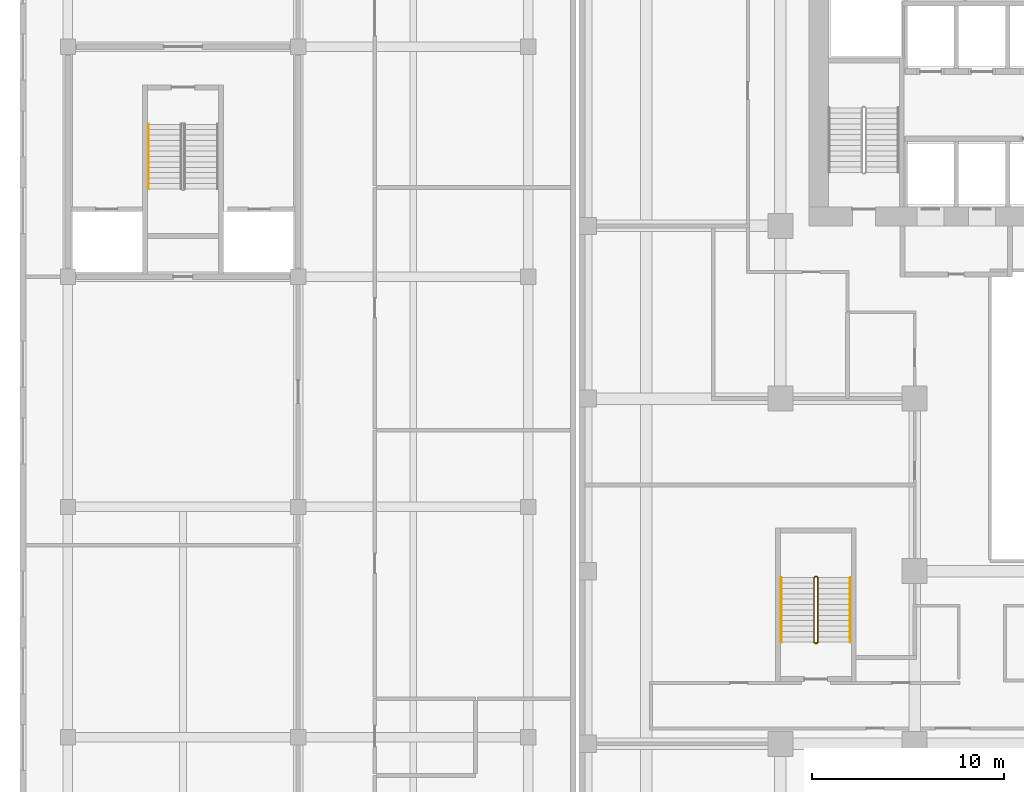
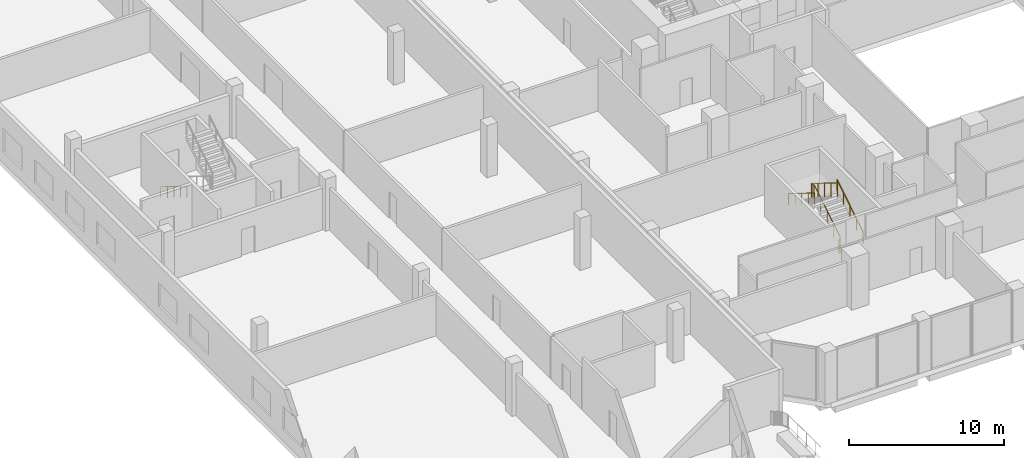
# One storey, part 28 of 35: 4 railings.
"""IFC4 building model written with IfcOpenShell, lengths in metres."""

from ifc_helpers import new_model, si_unit, direction, frame, origin, origin_2d, place, context, subcontext, project, spatial, circle, extrude, material, type_object, element, save


model = new_model("IFC4")

# Units and contexts
model_context = context("Model", 3, precision=1e-05, world=origin(), true_north=direction((0.0, 1.0)))
body_context = subcontext(model_context, "Body", "Model", "MODEL_VIEW")
ifc_project = project(units=[si_unit("LENGTHUNIT", "METRE"), si_unit("AREAUNIT", "SQUARE_METRE"), si_unit("VOLUMEUNIT", "CUBIC_METRE"), si_unit("PLANEANGLEUNIT", "RADIAN"), si_unit("MASSUNIT", "GRAM", prefix="KILO")], contexts=[model_context])

# Site, building, storey
site_placement = place(None, origin())
site = spatial("IfcSite", under=ifc_project, at=site_placement, CompositionType="ELEMENT")
building_placement = place(site_placement, origin())
building = spatial("IfcBuilding", under=site, at=building_placement, Name="Kilnfold Tower and Market Hall", CompositionType="ELEMENT")
storey_placement = place(building_placement, frame((0.0, 0.0, 13.5)))
storey = spatial("IfcBuildingStorey", under=building, at=storey_placement, Name="L02", CompositionType="ELEMENT", Elevation=13.5)

# Railings
ifc_material_1 = material(Name="Stainless steel 316", Category="steel")
railing_type_1 = type_object("IfcRailingType", Name="CORE STAIR GUARD 1100", PredefinedType="GUARDRAIL", material=ifc_material_1)
railing_1_placement = place(storey_placement, frame((-15.699951171875, -13.75, 0.0)))
element("IfcRailing", 1, at=railing_1_placement, inside=storey, type_object=railing_type_1, Name="L02 ST3 stair guard 1", PredefinedType="GUARDRAIL", context=body_context, shape_type="SweptSolid", body=[
    extrude(circle(Radius=0.02392578125, at=origin_2d()), frame((0.0, 0.0, 1.076171875), z_axis=(1.0, 0.0, 0.0), x_axis=(0.0, 1.0, 0.0)), (0.0, 0.0, 1.0), 0.099853515625),
    extrude(circle(Radius=0.02392578125, at=origin_2d()), frame((0.099853515625, 0.0, 1.076171875), z_axis=(0.267629722418, 0.267629722418, 0.925607186314), x_axis=(-0.707106781187, 0.707106781187, 0.0)), (0.0, 0.0, 1.0), 0.18701171875),
    extrude(circle(Radius=0.02392578125, at=origin_2d()), frame((0.14990234375, 0.050048828125, 1.2490234375), z_axis=(0.0, 0.850606129759, 0.525803396734), x_axis=(-1.0, 0.0, 0.0)), (0.0, 0.0, 1.0), 3.949951171875),
    extrude(circle(Radius=0.02392578125, at=origin_2d()), frame((0.14990234375, 3.409912109375, 3.326171875), z_axis=(-0.707106781187, 0.707106781187, 0.0), x_axis=(-0.707106781187, -0.707106781187, 0.0)), (0.0, 0.0, 1.0), 0.07080078125),
    extrude(circle(Radius=0.02392578125, at=origin_2d()), frame((0.099853515625, 3.4599609375, 3.326171875), z_axis=(-1.0, 0.0, 0.0), x_axis=(0.0, -1.0, 0.0)), (0.0, 0.0, 1.0), 0.099853515625),
    extrude(circle(Radius=0.02392578125, at=origin_2d()), frame((0.0, 3.4599609375, 3.326171875), z_axis=(-0.267629722418, -0.267629722418, 0.925607186314), x_axis=(0.707106781187, -0.707106781187, 0.0)), (0.0, 0.0, 1.0), 0.18701171875),
    extrude(circle(Radius=0.02392578125, at=origin_2d()), frame((-0.050048828125, 3.409912109375, 3.4990234375), z_axis=(0.0, -0.850606129759, 0.525803396734), x_axis=(1.0, 0.0, 0.0)), (0.0, 0.0, 1.0), 3.949951171875),
    extrude(circle(Radius=0.02099609375, at=origin_2d()), origin(), (0.0, 0.0, 1.0), 1.052001953125),
    extrude(circle(Radius=0.02099609375, at=origin_2d()), frame((0.099853515625, 0.0, 0.0)), (0.0, 0.0, 1.0), 1.052001953125),
    extrude(circle(Radius=0.02099609375, at=origin_2d()), frame((0.14990234375, 0.050048828125, 0.173095703125)), (0.0, 0.0, 1.0), 1.052001953125),
    extrude(circle(Radius=0.02099609375, at=origin_2d()), frame((0.14990234375, 0.89013671875, 0.6923828125)), (0.0, 0.0, 1.0), 1.052001953125),
    extrude(circle(Radius=0.02099609375, at=origin_2d()), frame((0.14990234375, 1.72998046875, 1.21142578125)), (0.0, 0.0, 1.0), 1.052001953125),
    extrude(circle(Radius=0.02099609375, at=origin_2d()), frame((0.14990234375, 2.56982421875, 1.730712890625)), (0.0, 0.0, 1.0), 1.052001953125),
    extrude(circle(Radius=0.02099609375, at=origin_2d()), frame((0.14990234375, 3.409912109375, 2.25)), (0.0, 0.0, 1.0), 1.052001953125),
    extrude(circle(Radius=0.02099609375, at=origin_2d()), frame((0.099853515625, 3.4599609375, 2.25)), (0.0, 0.0, 1.0), 1.052001953125),
    extrude(circle(Radius=0.02099609375, at=origin_2d()), frame((0.0, 3.4599609375, 2.25)), (0.0, 0.0, 1.0), 1.052001953125),
    extrude(circle(Radius=0.02099609375, at=origin_2d()), frame((-0.050048828125, 3.409912109375, 2.423095703125)), (0.0, 0.0, 1.0), 1.052001953125),
    extrude(circle(Radius=0.02099609375, at=origin_2d()), frame((-0.050048828125, 2.56982421875, 2.9423828125)), (0.0, 0.0, 1.0), 1.052001953125),
    extrude(circle(Radius=0.02099609375, at=origin_2d()), frame((-0.050048828125, 1.72998046875, 3.46142578125)), (0.0, 0.0, 1.0), 1.052001953125),
    extrude(circle(Radius=0.02099609375, at=origin_2d()), frame((-0.050048828125, 0.89013671875, 3.980712890625)), (0.0, 0.0, 1.0), 1.052001953125),
    extrude(circle(Radius=0.02099609375, at=origin_2d()), frame((-0.050048828125, 0.050048828125, 4.5)), (0.0, 0.0, 1.0), 1.052001953125),
])
ifc_material_2 = material(Name="Stainless steel 316", Category="steel")
railing_type_2 = type_object("IfcRailingType", Name="CORE STAIR HANDRAIL 900", PredefinedType="HANDRAIL", material=ifc_material_2)
railing_2_placement = place(storey_placement, frame((-13.85009765625, -13.699951171875, 0.173095703125)))
element("IfcRailing", 2, at=railing_2_placement, inside=storey, type_object=railing_type_2, Name="L02 ST3 stair handrail 1", PredefinedType="HANDRAIL", context=body_context, shape_type="SweptSolid", body=[
    extrude(circle(Radius=0.02392578125, at=origin_2d()), frame((0.0, 0.0, 0.8759765625), z_axis=(0.0, 0.850606129759, 0.525803396734), x_axis=(-1.0, 0.0, 0.0)), (0.0, 0.0, 1.0), 3.949951171875),
    extrude(circle(Radius=0.02099609375, at=origin_2d()), origin(), (0.0, 0.0, 1.0), 0.851806640625),
    extrude(circle(Radius=0.02099609375, at=origin_2d()), frame((0.0, 0.83984375, 0.519287109375)), (0.0, 0.0, 1.0), 0.851806640625),
    extrude(circle(Radius=0.02099609375, at=origin_2d()), frame((0.0, 1.679931640625, 1.03857421875)), (0.0, 0.0, 1.0), 0.851806640625),
    extrude(circle(Radius=0.02099609375, at=origin_2d()), frame((0.0, 2.52001953125, 1.5576171875)), (0.0, 0.0, 1.0), 0.851806640625),
    extrude(circle(Radius=0.02099609375, at=origin_2d()), frame((0.0, 3.35986328125, 2.076904296875)), (0.0, 0.0, 1.0), 0.851806640625),
])
railing_3_placement = place(storey_placement, frame((-17.449951171875, -10.340087890625, 2.423095703125)))
element("IfcRailing", 3, at=railing_3_placement, inside=storey, type_object=railing_type_2, Name="L02 ST3 stair handrail 2", PredefinedType="HANDRAIL", context=body_context, shape_type="SweptSolid", body=[
    extrude(circle(Radius=0.02392578125, at=origin_2d()), frame((0.0, 0.0, 0.8759765625), z_axis=(0.0, -0.850606129759, 0.525803396734), x_axis=(1.0, 0.0, 0.0)), (0.0, 0.0, 1.0), 3.949951171875),
    extrude(circle(Radius=0.02099609375, at=origin_2d()), origin(), (0.0, 0.0, 1.0), 0.851806640625),
    extrude(circle(Radius=0.02099609375, at=origin_2d()), frame((0.0, -0.83984375, 0.519287109375)), (0.0, 0.0, 1.0), 0.851806640625),
    extrude(circle(Radius=0.02099609375, at=origin_2d()), frame((0.0, -1.679931640625, 1.03857421875)), (0.0, 0.0, 1.0), 0.851806640625),
    extrude(circle(Radius=0.02099609375, at=origin_2d()), frame((0.0, -2.52001953125, 1.5576171875)), (0.0, 0.0, 1.0), 0.851806640625),
    extrude(circle(Radius=0.02099609375, at=origin_2d()), frame((0.0, -3.35986328125, 2.076904296875)), (0.0, 0.0, 1.0), 0.851806640625),
])
ifc_material_3 = material(Name="Steel S355", Category="steel")
railing_type_3 = type_object("IfcRailingType", Name="HALL STAIR HANDRAIL", PredefinedType="HANDRAIL", material=ifc_material_3)
railing_4_placement = place(storey_placement, frame((-50.449951171875, 13.300048828125, 0.173095703125)))
element("IfcRailing", 4, at=railing_4_placement, inside=storey, type_object=railing_type_3, Name="L02 MS2 stair handrail 1", PredefinedType="HANDRAIL", context=body_context, shape_type="SweptSolid", body=[
    extrude(circle(Radius=0.02392578125, at=origin_2d()), frame((0.0, 0.0, 0.8759765625), z_axis=(0.0, -0.850623216509, 0.525775754039), x_axis=(1.0, 0.0, 0.0)), (0.0, 0.0, 1.0), 3.9501953125),
    extrude(circle(Radius=0.02099609375, at=origin_2d()), origin(), (0.0, 0.0, 1.0), 0.851806640625),
    extrude(circle(Radius=0.02099609375, at=origin_2d()), frame((0.0, -0.840087890625, 0.519287109375)), (0.0, 0.0, 1.0), 0.851806640625),
    extrude(circle(Radius=0.02099609375, at=origin_2d()), frame((0.0, -1.68017578125, 1.03857421875)), (0.0, 0.0, 1.0), 0.851806640625),
    extrude(circle(Radius=0.02099609375, at=origin_2d()), frame((0.0, -2.52001953125, 1.5576171875)), (0.0, 0.0, 1.0), 0.851806640625),
    extrude(circle(Radius=0.02099609375, at=origin_2d()), frame((0.0, -3.360107421875, 2.076904296875)), (0.0, 0.0, 1.0), 0.851806640625),
])

save(model, "model.ifc")
